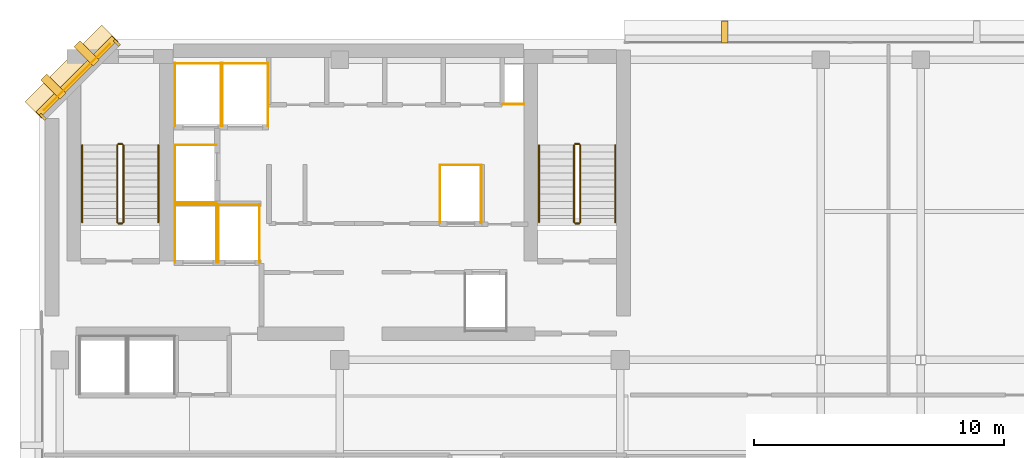
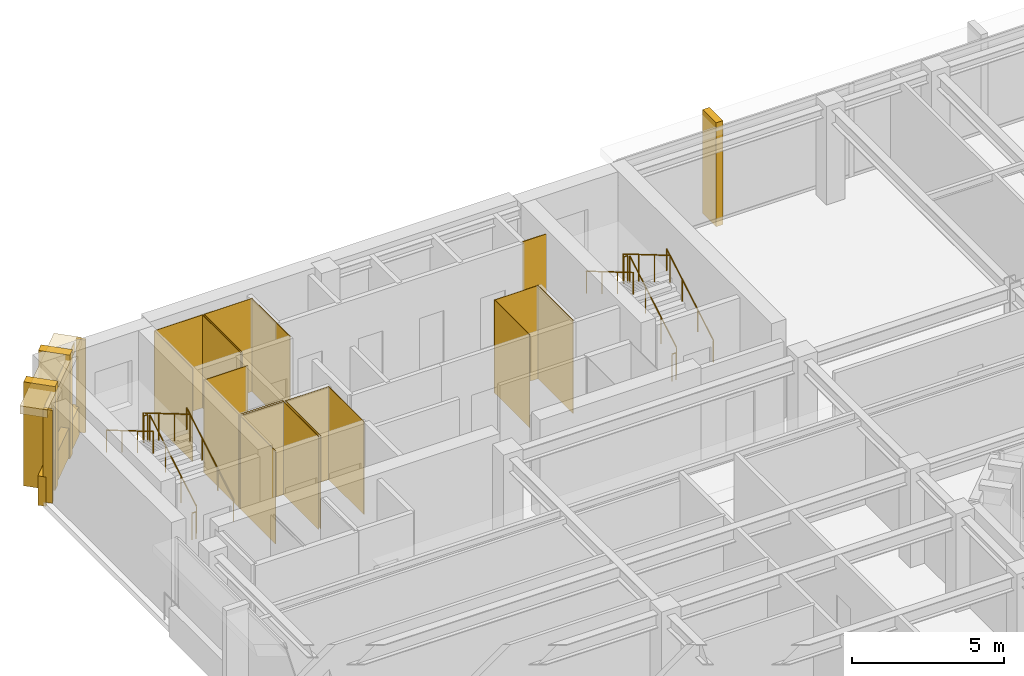
# One storey, part 10 of 11: 27 coverings, 12 railings.
"""IFC4 building model written with IfcOpenShell, lengths in metres."""

from ifc_helpers import new_model, si_unit, direction, frame, origin, origin_2d, place, context, subcontext, project, spatial, polyline, rectangle, circle, outline, extrude, material, layer, layer_set, type_object, element, save


model = new_model("IFC4")

# Units and contexts
model_context = context("Model", 3, precision=1e-05, world=origin(), true_north=direction((0.0, 1.0)))
body_context = subcontext(model_context, "Body", "Model", "MODEL_VIEW")
ifc_project = project(units=[si_unit("LENGTHUNIT", "METRE"), si_unit("AREAUNIT", "SQUARE_METRE"), si_unit("VOLUMEUNIT", "CUBIC_METRE"), si_unit("PLANEANGLEUNIT", "RADIAN"), si_unit("MASSUNIT", "GRAM", prefix="KILO")], contexts=[model_context])

# Site, building, storey
site_placement = place(None, origin())
site = spatial("IfcSite", under=ifc_project, at=site_placement, CompositionType="ELEMENT")
building_placement = place(site_placement, origin())
building = spatial("IfcBuilding", under=site, at=building_placement, Name="Kefirva Bronze Tower", CompositionType="ELEMENT")
storey_placement = place(building_placement, frame((0.0, 0.0, 272.25)))
storey = spatial("IfcBuildingStorey", under=building, at=storey_placement, Name="L66", CompositionType="ELEMENT", Elevation=272.25)

# Coverings
ifc_material_1 = material(Name="Bronze anodised aluminium", Category="aluminium")
ifc_layer_1 = layer(ifc_material_1, 0.02001953125, Name="Bronze anodised aluminium")
ifc_layer_set_1 = layer_set([ifc_layer_1], Name="Bronze anodised aluminium")
covering_type_1 = type_object("IfcCoveringType", Name="Anodised Bronze Spandrel Cladding 20mm", PredefinedType="CLADDING", material=ifc_layer_set_1)
covering_1_placement = place(storey_placement, frame((1.492919921875, 44.507080078125, 3.320068359375), z_axis=(0.0, 0.0, 1.0), x_axis=(-0.707106781187, -0.707106781187, 0.0)))
element("IfcCovering", 1, at=covering_1_placement, inside=storey, type_object=covering_type_1, Name="L66 Bronze Spandrel Cladding 7", PredefinedType="CLADDING", context=body_context, shape_type="SweptSolid", body=[
    extrude(rectangle(XDim=3.719482421875, YDim=0.02001953125, at=origin_2d()), origin(), (0.0, 0.0, 1.0), 0.39990234375),
])
for number, where, z_axis, x_axis, name in (
    (2, (3.08837890625, 45.862060546875, 0.0), (0.0, 0.0, 1.0), (-0.707106781187, -0.707106781187, 0.0), "L66 Facade Joint Closure Panel 7S"),
    (3, (0.137939453125, 42.91162109375, 0.0), (0.0, 0.0, 1.0), (-0.707106781187, -0.707106781187, 0.0), "L66 Facade Joint Closure Panel 7E"),
):
    element("IfcCovering", number, at=place(storey_placement, frame(where, z_axis=z_axis, x_axis=x_axis)), inside=storey, type_object=covering_type_1, Name=name, PredefinedType="CLADDING", context=body_context, shape_type="SweptSolid", body=[
        extrude(rectangle(XDim=0.10009765625, YDim=0.320068359375, at=origin_2d()), origin(), (0.0, 0.0, 1.0), 3.739990234375),
    ])
covering_2_placement = place(storey_placement, frame((1.4716796875, 44.5283203125, -0.16015625), z_axis=(0.0, 0.0, 1.0), x_axis=(-0.707106781187, -0.707106781187, 0.0)))
element("IfcCovering", 4, at=covering_2_placement, inside=storey, type_object=covering_type_1, Name="L66 Streamline Horizontal Spandrel Band 9", PredefinedType="CLADDING", context=body_context, shape_type="SweptSolid", body=[
    extrude(rectangle(XDim=4.28271484375, YDim=0.280029296875, at=origin_2d()), origin(), (0.0, 0.0, 1.0), 1.179931640625),
])
covering_3_placement = place(storey_placement, origin())
element("IfcCovering", 5, at=covering_3_placement, inside=storey, type_object=covering_type_1, Name="L66 Lift FF1 Hoistway Liner N", PredefinedType="CLADDING", context=body_context, shape_type="SweptSolid", body=[
    extrude(outline(polyline([(5.39990234375, 39.389892578125), (7.080078125, 39.389892578125), (7.080078125, 39.409912109375), (5.39990234375, 39.409912109375), (5.39990234375, 39.389892578125)])), origin(), (0.0, 0.0, 1.0), 3.739990234375),
])
covering_4_placement = place(storey_placement, origin())
element("IfcCovering", 6, at=covering_4_placement, inside=storey, type_object=covering_type_1, Name="L66 Lift FF1 Hoistway Liner W", PredefinedType="CLADDING", context=body_context, shape_type="SweptSolid", body=[
    extrude(outline(polyline([(5.409912109375, 37.080078125), (5.429931640625, 37.080078125), (5.429931640625, 39.419921875), (5.409912109375, 39.419921875), (5.409912109375, 37.080078125)])), origin(), (0.0, 0.0, 1.0), 3.739990234375),
])
covering_5_placement = place(storey_placement, origin())
element("IfcCovering", 7, at=covering_5_placement, inside=storey, type_object=covering_type_1, Name="L66 Lift FF1 Hoistway Liner E", PredefinedType="CLADDING", context=body_context, shape_type="SweptSolid", body=[
    extrude(outline(polyline([(7.050048828125, 37.080078125), (7.070068359375, 37.080078125), (7.070068359375, 39.419921875), (7.050048828125, 39.419921875), (7.050048828125, 37.080078125)])), origin(), (0.0, 0.0, 1.0), 3.739990234375),
])
covering_6_placement = place(storey_placement, origin())
element("IfcCovering", 8, at=covering_6_placement, inside=storey, type_object=covering_type_1, Name="L66 Lift FF2 Hoistway Liner N", PredefinedType="CLADDING", context=body_context, shape_type="SweptSolid", body=[
    extrude(outline(polyline([(7.1201171875, 39.389892578125), (8.800048828125, 39.389892578125), (8.800048828125, 39.409912109375), (7.1201171875, 39.409912109375), (7.1201171875, 39.389892578125)])), origin(), (0.0, 0.0, 1.0), 3.739990234375),
])
covering_7_placement = place(storey_placement, origin())
element("IfcCovering", 9, at=covering_7_placement, inside=storey, type_object=covering_type_1, Name="L66 Lift FF2 Hoistway Liner W", PredefinedType="CLADDING", context=body_context, shape_type="SweptSolid", body=[
    extrude(outline(polyline([(7.1298828125, 37.080078125), (7.14990234375, 37.080078125), (7.14990234375, 39.419921875), (7.1298828125, 39.419921875), (7.1298828125, 37.080078125)])), origin(), (0.0, 0.0, 1.0), 3.739990234375),
])
covering_8_placement = place(storey_placement, origin())
element("IfcCovering", 10, at=covering_8_placement, inside=storey, type_object=covering_type_1, Name="L66 Lift FF2 Hoistway Liner E", PredefinedType="CLADDING", context=body_context, shape_type="SweptSolid", body=[
    extrude(outline(polyline([(8.77001953125, 37.080078125), (8.7900390625, 37.080078125), (8.7900390625, 39.419921875), (8.77001953125, 39.419921875), (8.77001953125, 37.080078125)])), origin(), (0.0, 0.0, 1.0), 3.739990234375),
])
covering_9_placement = place(storey_placement, origin())
element("IfcCovering", 11, at=covering_9_placement, inside=storey, type_object=covering_type_1, Name="L66 Lift SV1 Hoistway Liner N", PredefinedType="CLADDING", context=body_context, shape_type="SweptSolid", body=[
    extrude(outline(polyline([(5.39990234375, 45.0400390625), (7.260009765625, 45.0400390625), (7.260009765625, 45.06005859375), (5.39990234375, 45.06005859375), (5.39990234375, 45.0400390625)])), origin(), (0.0, 0.0, 1.0), 3.739990234375),
])
covering_10_placement = place(storey_placement, origin())
element("IfcCovering", 12, at=covering_10_placement, inside=storey, type_object=covering_type_1, Name="L66 Lift SV1 Hoistway Liner W", PredefinedType="CLADDING", context=body_context, shape_type="SweptSolid", body=[
    extrude(outline(polyline([(5.409912109375, 42.530029296875), (5.429931640625, 42.530029296875), (5.429931640625, 45.070068359375), (5.409912109375, 45.070068359375), (5.409912109375, 42.530029296875)])), origin(), (0.0, 0.0, 1.0), 3.739990234375),
])
covering_11_placement = place(storey_placement, origin())
element("IfcCovering", 13, at=covering_11_placement, inside=storey, type_object=covering_type_1, Name="L66 Lift SV1 Hoistway Liner E", PredefinedType="CLADDING", context=body_context, shape_type="SweptSolid", body=[
    extrude(outline(polyline([(7.22998046875, 42.530029296875), (7.25, 42.530029296875), (7.25, 45.070068359375), (7.22998046875, 45.070068359375), (7.22998046875, 42.530029296875)])), origin(), (0.0, 0.0, 1.0), 3.739990234375),
])
covering_12_placement = place(storey_placement, origin())
element("IfcCovering", 14, at=covering_12_placement, inside=storey, type_object=covering_type_1, Name="L66 Lift SV2 Hoistway Liner N", PredefinedType="CLADDING", context=body_context, shape_type="SweptSolid", body=[
    extrude(outline(polyline([(7.280029296875, 45.0400390625), (9.139892578125, 45.0400390625), (9.139892578125, 45.06005859375), (7.280029296875, 45.06005859375), (7.280029296875, 45.0400390625)])), origin(), (0.0, 0.0, 1.0), 3.739990234375),
])
covering_13_placement = place(storey_placement, origin())
element("IfcCovering", 15, at=covering_13_placement, inside=storey, type_object=covering_type_1, Name="L66 Lift SV2 Hoistway Liner W", PredefinedType="CLADDING", context=body_context, shape_type="SweptSolid", body=[
    extrude(outline(polyline([(7.2900390625, 42.530029296875), (7.31005859375, 42.530029296875), (7.31005859375, 45.070068359375), (7.2900390625, 45.070068359375), (7.2900390625, 42.530029296875)])), origin(), (0.0, 0.0, 1.0), 3.739990234375),
])
covering_14_placement = place(storey_placement, origin())
element("IfcCovering", 16, at=covering_14_placement, inside=storey, type_object=covering_type_1, Name="L66 Lift SV2 Hoistway Liner E", PredefinedType="CLADDING", context=body_context, shape_type="SweptSolid", body=[
    extrude(outline(polyline([(9.110107421875, 42.530029296875), (9.1298828125, 42.530029296875), (9.1298828125, 45.070068359375), (9.110107421875, 45.070068359375), (9.110107421875, 42.530029296875)])), origin(), (0.0, 0.0, 1.0), 3.739990234375),
])
covering_15_placement = place(storey_placement, origin())
element("IfcCovering", 17, at=covering_15_placement, inside=storey, type_object=covering_type_1, Name="L66 Lift HP2 Hoistway Liner N", PredefinedType="CLADDING", context=body_context, shape_type="SweptSolid", body=[
    extrude(outline(polyline([(15.97998046875, 40.969970703125), (17.669921875, 40.969970703125), (17.669921875, 40.989990234375), (15.97998046875, 40.989990234375), (15.97998046875, 40.969970703125)])), origin(), (0.0, 0.0, 1.0), 3.739990234375),
])
covering_16_placement = place(storey_placement, origin())
element("IfcCovering", 18, at=covering_16_placement, inside=storey, type_object=covering_type_1, Name="L66 Lift HP2 Hoistway Liner W", PredefinedType="CLADDING", context=body_context, shape_type="SweptSolid", body=[
    extrude(outline(polyline([(15.989990234375, 38.659912109375), (16.010009765625, 38.659912109375), (16.010009765625, 41.0), (15.989990234375, 41.0), (15.989990234375, 38.659912109375)])), origin(), (0.0, 0.0, 1.0), 3.739990234375),
])
covering_17_placement = place(storey_placement, origin())
element("IfcCovering", 19, at=covering_17_placement, inside=storey, type_object=covering_type_1, Name="L66 Lift HP2 Hoistway Liner E", PredefinedType="CLADDING", context=body_context, shape_type="SweptSolid", body=[
    extrude(outline(polyline([(17.639892578125, 38.659912109375), (17.659912109375, 38.659912109375), (17.659912109375, 41.0), (17.639892578125, 41.0), (17.639892578125, 38.659912109375)])), origin(), (0.0, 0.0, 1.0), 3.739990234375),
])
covering_18_placement = place(storey_placement, origin())
element("IfcCovering", 20, at=covering_18_placement, inside=storey, type_object=covering_type_1, Name="L66 Lift HP3 Hoistway Liner N", PredefinedType="CLADDING", context=body_context, shape_type="SweptSolid", body=[
    extrude(outline(polyline([(5.39990234375, 41.77001953125), (7.080078125, 41.77001953125), (7.080078125, 41.7900390625), (5.39990234375, 41.7900390625), (5.39990234375, 41.77001953125)])), origin(), (0.0, 0.0, 1.0), 3.739990234375),
])
covering_19_placement = place(storey_placement, origin())
element("IfcCovering", 21, at=covering_19_placement, inside=storey, type_object=covering_type_1, Name="L66 Lift HP3 Hoistway Liner S", PredefinedType="CLADDING", context=body_context, shape_type="SweptSolid", body=[
    extrude(outline(polyline([(5.39990234375, 39.469970703125), (7.080078125, 39.469970703125), (7.080078125, 39.489990234375), (5.39990234375, 39.489990234375), (5.39990234375, 39.469970703125)])), origin(), (0.0, 0.0, 1.0), 3.739990234375),
])
covering_20_placement = place(storey_placement, origin())
element("IfcCovering", 22, at=covering_20_placement, inside=storey, type_object=covering_type_1, Name="L66 Lift HP3 Hoistway Liner W", PredefinedType="CLADDING", context=body_context, shape_type="SweptSolid", body=[
    extrude(outline(polyline([(5.409912109375, 39.4599609375), (5.429931640625, 39.4599609375), (5.429931640625, 41.800048828125), (5.409912109375, 41.800048828125), (5.409912109375, 39.4599609375)])), origin(), (0.0, 0.0, 1.0), 3.739990234375),
])
covering_21_placement = place(storey_placement, origin())
element("IfcCovering", 23, at=covering_21_placement, inside=storey, type_object=covering_type_1, Name="L66 Core MEP Riser Shaft Liner South", PredefinedType="CLADDING", context=body_context, shape_type="SweptSolid", body=[
    extrude(outline(polyline([(18.47998046875, 43.39990234375), (19.360107421875, 43.39990234375), (19.360107421875, 43.429931640625), (18.47998046875, 43.429931640625), (18.47998046875, 43.39990234375)])), origin(), (0.0, 0.0, 1.0), 3.739990234375),
])

# Railings
ifc_material_2 = material(Name="Stainless steel 316", Category="steel")
railing_type_1 = type_object("IfcRailingType", Name="Interior Stair Guardrail 1100mm", PredefinedType="GUARDRAIL", material=ifc_material_2)
railing_1_placement = place(storey_placement, frame((3.35009765625, 38.699951171875, 0.1650390625)))
element("IfcRailing", 24, at=railing_1_placement, inside=storey, type_object=railing_type_1, Name="L66 ST-1 stair guard 1", PredefinedType="GUARDRAIL", context=body_context, shape_type="SweptSolid", body=[
    extrude(circle(Radius=0.02392578125, at=origin_2d()), frame((0.0, 0.0, 1.076171875), z_axis=(0.0, 0.861551262678, 0.507670583921), x_axis=(-1.0, 0.0, 0.0)), (0.0, 0.0, 1.0), 3.574951171875),
    extrude(circle(Radius=0.02099609375, at=origin_2d()), origin(), (0.0, 0.0, 1.0), 1.052001953125),
    extrude(circle(Radius=0.02099609375, at=origin_2d()), frame((0.0, 1.026611328125, 0.60498046875)), (0.0, 0.0, 1.0), 1.052001953125),
    extrude(circle(Radius=0.02099609375, at=origin_2d()), frame((0.0, 2.053466796875, 1.2099609375)), (0.0, 0.0, 1.0), 1.052001953125),
    extrude(circle(Radius=0.02099609375, at=origin_2d()), frame((0.0, 3.080078125, 1.81494140625)), (0.0, 0.0, 1.0), 1.052001953125),
])
railing_2_placement = place(storey_placement, frame((3.300048828125, 41.830078125, 1.97998046875)))
element("IfcRailing", 25, at=railing_2_placement, inside=storey, type_object=railing_type_1, Name="L66 ST-1 stair guard 2", PredefinedType="GUARDRAIL", context=body_context, shape_type="SweptSolid", body=[
    extrude(circle(Radius=0.02392578125, at=origin_2d()), frame((0.0, 0.0, 1.076171875), z_axis=(-1.0, 0.0, 0.0), x_axis=(0.0, -1.0, 0.0)), (0.0, 0.0, 1.0), 0.150146484375),
    extrude(circle(Radius=0.02099609375, at=origin_2d()), origin(), (0.0, 0.0, 1.0), 1.052001953125),
    extrude(circle(Radius=0.02099609375, at=origin_2d()), frame((-0.150146484375, 0.0, 0.0)), (0.0, 0.0, 1.0), 1.052001953125),
])
railing_3_placement = place(storey_placement, frame((3.10009765625, 41.780029296875, 2.14501953125)))
element("IfcRailing", 26, at=railing_3_placement, inside=storey, type_object=railing_type_1, Name="L66 ST-1 stair guard 3", PredefinedType="GUARDRAIL", context=body_context, shape_type="SweptSolid", body=[
    extrude(circle(Radius=0.02392578125, at=origin_2d()), frame((0.0, 0.0, 1.076171875), z_axis=(0.0, -0.861551262678, 0.507670583921), x_axis=(1.0, 0.0, 0.0)), (0.0, 0.0, 1.0), 3.574951171875),
    extrude(circle(Radius=0.02099609375, at=origin_2d()), origin(), (0.0, 0.0, 1.0), 1.052001953125),
    extrude(circle(Radius=0.02099609375, at=origin_2d()), frame((0.0, -1.026611328125, 0.60498046875)), (0.0, 0.0, 1.0), 1.052001953125),
    extrude(circle(Radius=0.02099609375, at=origin_2d()), frame((0.0, -2.053466796875, 1.2099609375)), (0.0, 0.0, 1.0), 1.052001953125),
    extrude(circle(Radius=0.02099609375, at=origin_2d()), frame((0.0, -3.080078125, 1.81494140625)), (0.0, 0.0, 1.0), 1.052001953125),
])
railing_4_placement = place(storey_placement, frame((3.300048828125, 38.64990234375, 0.0)))
element("IfcRailing", 27, at=railing_4_placement, inside=storey, type_object=railing_type_1, Name="L66 ST-1 stair guard 4", PredefinedType="GUARDRAIL", context=body_context, shape_type="SweptSolid", body=[
    extrude(circle(Radius=0.02392578125, at=origin_2d()), frame((0.0, 0.0, 1.076171875), z_axis=(-1.0, 0.0, 0.0), x_axis=(0.0, -1.0, 0.0)), (0.0, 0.0, 1.0), 0.150146484375),
    extrude(circle(Radius=0.02099609375, at=origin_2d()), origin(), (0.0, 0.0, 1.0), 1.052001953125),
    extrude(circle(Radius=0.02099609375, at=origin_2d()), frame((-0.150146484375, 0.0, 0.0)), (0.0, 0.0, 1.0), 1.052001953125),
])
railing_5_placement = place(storey_placement, frame((21.60009765625, 38.699951171875, 0.1650390625)))
element("IfcRailing", 28, at=railing_5_placement, inside=storey, type_object=railing_type_1, Name="L66 ST-2 stair guard 1", PredefinedType="GUARDRAIL", context=body_context, shape_type="SweptSolid", body=[
    extrude(circle(Radius=0.02392578125, at=origin_2d()), frame((0.0, 0.0, 1.076171875), z_axis=(0.0, 0.861551262678, 0.507670583921), x_axis=(-1.0, 0.0, 0.0)), (0.0, 0.0, 1.0), 3.574951171875),
    extrude(circle(Radius=0.02099609375, at=origin_2d()), origin(), (0.0, 0.0, 1.0), 1.052001953125),
    extrude(circle(Radius=0.02099609375, at=origin_2d()), frame((0.0, 1.026611328125, 0.60498046875)), (0.0, 0.0, 1.0), 1.052001953125),
    extrude(circle(Radius=0.02099609375, at=origin_2d()), frame((0.0, 2.053466796875, 1.2099609375)), (0.0, 0.0, 1.0), 1.052001953125),
    extrude(circle(Radius=0.02099609375, at=origin_2d()), frame((0.0, 3.080078125, 1.81494140625)), (0.0, 0.0, 1.0), 1.052001953125),
])
railing_6_placement = place(storey_placement, frame((21.550048828125, 41.830078125, 1.97998046875)))
element("IfcRailing", 29, at=railing_6_placement, inside=storey, type_object=railing_type_1, Name="L66 ST-2 stair guard 2", PredefinedType="GUARDRAIL", context=body_context, shape_type="SweptSolid", body=[
    extrude(circle(Radius=0.02392578125, at=origin_2d()), frame((0.0, 0.0, 1.076171875), z_axis=(-1.0, 0.0, 0.0), x_axis=(0.0, -1.0, 0.0)), (0.0, 0.0, 1.0), 0.150146484375),
    extrude(circle(Radius=0.02099609375, at=origin_2d()), origin(), (0.0, 0.0, 1.0), 1.052001953125),
    extrude(circle(Radius=0.02099609375, at=origin_2d()), frame((-0.150146484375, 0.0, 0.0)), (0.0, 0.0, 1.0), 1.052001953125),
])
railing_7_placement = place(storey_placement, frame((21.35009765625, 41.780029296875, 2.14501953125)))
element("IfcRailing", 30, at=railing_7_placement, inside=storey, type_object=railing_type_1, Name="L66 ST-2 stair guard 3", PredefinedType="GUARDRAIL", context=body_context, shape_type="SweptSolid", body=[
    extrude(circle(Radius=0.02392578125, at=origin_2d()), frame((0.0, 0.0, 1.076171875), z_axis=(0.0, -0.861551262678, 0.507670583921), x_axis=(1.0, 0.0, 0.0)), (0.0, 0.0, 1.0), 3.574951171875),
    extrude(circle(Radius=0.02099609375, at=origin_2d()), origin(), (0.0, 0.0, 1.0), 1.052001953125),
    extrude(circle(Radius=0.02099609375, at=origin_2d()), frame((0.0, -1.026611328125, 0.60498046875)), (0.0, 0.0, 1.0), 1.052001953125),
    extrude(circle(Radius=0.02099609375, at=origin_2d()), frame((0.0, -2.053466796875, 1.2099609375)), (0.0, 0.0, 1.0), 1.052001953125),
    extrude(circle(Radius=0.02099609375, at=origin_2d()), frame((0.0, -3.080078125, 1.81494140625)), (0.0, 0.0, 1.0), 1.052001953125),
])
railing_8_placement = place(storey_placement, frame((21.550048828125, 38.64990234375, 0.0)))
element("IfcRailing", 31, at=railing_8_placement, inside=storey, type_object=railing_type_1, Name="L66 ST-2 stair guard 4", PredefinedType="GUARDRAIL", context=body_context, shape_type="SweptSolid", body=[
    extrude(circle(Radius=0.02392578125, at=origin_2d()), frame((0.0, 0.0, 1.076171875), z_axis=(-1.0, 0.0, 0.0), x_axis=(0.0, -1.0, 0.0)), (0.0, 0.0, 1.0), 0.150146484375),
    extrude(circle(Radius=0.02099609375, at=origin_2d()), origin(), (0.0, 0.0, 1.0), 1.052001953125),
    extrude(circle(Radius=0.02099609375, at=origin_2d()), frame((-0.150146484375, 0.0, 0.0)), (0.0, 0.0, 1.0), 1.052001953125),
])
railing_type_2 = type_object("IfcRailingType", Name="Stair Pitch Handrail 900mm", PredefinedType="HANDRAIL", material=ifc_material_2)
railing_9_placement = place(storey_placement, frame((4.75, 38.699951171875, 0.1650390625)))
element("IfcRailing", 32, at=railing_9_placement, inside=storey, type_object=railing_type_2, Name="L66 ST-1 stair handrail 1", PredefinedType="HANDRAIL", context=body_context, shape_type="SweptSolid", body=[
    extrude(circle(Radius=0.02392578125, at=origin_2d()), frame((0.0, 0.0, 0.8759765625), z_axis=(0.0, 0.861551262678, 0.507670583921), x_axis=(-1.0, 0.0, 0.0)), (0.0, 0.0, 1.0), 3.574951171875),
    extrude(circle(Radius=0.02099609375, at=origin_2d()), origin(), (0.0, 0.0, 1.0), 0.851806640625),
    extrude(circle(Radius=0.02099609375, at=origin_2d()), frame((0.0, 1.026611328125, 0.60498046875)), (0.0, 0.0, 1.0), 0.851806640625),
    extrude(circle(Radius=0.02099609375, at=origin_2d()), frame((0.0, 2.053466796875, 1.2099609375)), (0.0, 0.0, 1.0), 0.851806640625),
    extrude(circle(Radius=0.02099609375, at=origin_2d()), frame((0.0, 3.080078125, 1.81494140625)), (0.0, 0.0, 1.0), 0.851806640625),
])
railing_10_placement = place(storey_placement, frame((1.699951171875, 41.780029296875, 2.14501953125)))
element("IfcRailing", 33, at=railing_10_placement, inside=storey, type_object=railing_type_2, Name="L66 ST-1 stair handrail 2", PredefinedType="HANDRAIL", context=body_context, shape_type="SweptSolid", body=[
    extrude(circle(Radius=0.02392578125, at=origin_2d()), frame((0.0, 0.0, 0.8759765625), z_axis=(0.0, -0.861551262678, 0.507670583921), x_axis=(1.0, 0.0, 0.0)), (0.0, 0.0, 1.0), 3.574951171875),
    extrude(circle(Radius=0.02099609375, at=origin_2d()), origin(), (0.0, 0.0, 1.0), 0.851806640625),
    extrude(circle(Radius=0.02099609375, at=origin_2d()), frame((0.0, -1.026611328125, 0.60498046875)), (0.0, 0.0, 1.0), 0.851806640625),
    extrude(circle(Radius=0.02099609375, at=origin_2d()), frame((0.0, -2.053466796875, 1.2099609375)), (0.0, 0.0, 1.0), 0.851806640625),
    extrude(circle(Radius=0.02099609375, at=origin_2d()), frame((0.0, -3.080078125, 1.81494140625)), (0.0, 0.0, 1.0), 0.851806640625),
])
railing_11_placement = place(storey_placement, frame((23.0, 38.699951171875, 0.1650390625)))
element("IfcRailing", 34, at=railing_11_placement, inside=storey, type_object=railing_type_2, Name="L66 ST-2 stair handrail 1", PredefinedType="HANDRAIL", context=body_context, shape_type="SweptSolid", body=[
    extrude(circle(Radius=0.02392578125, at=origin_2d()), frame((0.0, 0.0, 0.8759765625), z_axis=(0.0, 0.861551262678, 0.507670583921), x_axis=(-1.0, 0.0, 0.0)), (0.0, 0.0, 1.0), 3.574951171875),
    extrude(circle(Radius=0.02099609375, at=origin_2d()), origin(), (0.0, 0.0, 1.0), 0.851806640625),
    extrude(circle(Radius=0.02099609375, at=origin_2d()), frame((0.0, 1.026611328125, 0.60498046875)), (0.0, 0.0, 1.0), 0.851806640625),
    extrude(circle(Radius=0.02099609375, at=origin_2d()), frame((0.0, 2.053466796875, 1.2099609375)), (0.0, 0.0, 1.0), 0.851806640625),
    extrude(circle(Radius=0.02099609375, at=origin_2d()), frame((0.0, 3.080078125, 1.81494140625)), (0.0, 0.0, 1.0), 0.851806640625),
])
railing_12_placement = place(storey_placement, frame((19.949951171875, 41.780029296875, 2.14501953125)))
element("IfcRailing", 35, at=railing_12_placement, inside=storey, type_object=railing_type_2, Name="L66 ST-2 stair handrail 2", PredefinedType="HANDRAIL", context=body_context, shape_type="SweptSolid", body=[
    extrude(circle(Radius=0.02392578125, at=origin_2d()), frame((0.0, 0.0, 0.8759765625), z_axis=(0.0, -0.861551262678, 0.507670583921), x_axis=(1.0, 0.0, 0.0)), (0.0, 0.0, 1.0), 3.574951171875),
    extrude(circle(Radius=0.02099609375, at=origin_2d()), origin(), (0.0, 0.0, 1.0), 0.851806640625),
    extrude(circle(Radius=0.02099609375, at=origin_2d()), frame((0.0, -1.026611328125, 0.60498046875)), (0.0, 0.0, 1.0), 0.851806640625),
    extrude(circle(Radius=0.02099609375, at=origin_2d()), frame((0.0, -2.053466796875, 1.2099609375)), (0.0, 0.0, 1.0), 0.851806640625),
    extrude(circle(Radius=0.02099609375, at=origin_2d()), frame((0.0, -3.080078125, 1.81494140625)), (0.0, 0.0, 1.0), 0.851806640625),
])

# Coverings
ifc_layer_2 = layer(ifc_material_1, 0.179931640625, Name="Bronze anodised aluminium")
ifc_layer_set_2 = layer_set([ifc_layer_2], Name="Bronze anodised aluminium")
covering_type_2 = type_object("IfcCoveringType", Name="Streamline Bronze Sunshade Eyebrow Cladding 180mm", PredefinedType="CLADDING", material=ifc_layer_set_2)
covering_22_placement = place(storey_placement, frame((1.28076171875, 44.71923828125, 3.419921875), z_axis=(0.0, 0.0, 1.0), x_axis=(-0.707106781187, -0.707106781187, 0.0)))
element("IfcCovering", 36, at=covering_22_placement, inside=storey, type_object=covering_type_2, Name="L66 Streamline Bronze Sunshade Eyebrow 9", PredefinedType="CLADDING", context=body_context, shape_type="SweptSolid", body=[
    extrude(rectangle(XDim=4.322509765625, YDim=0.93994140625, at=origin_2d()), origin(), (0.0, 0.0, 1.0), 0.320068359375),
])
ifc_layer_3 = layer(ifc_material_1, 0.260009765625, Name="Bronze anodised aluminium")
ifc_layer_set_3 = layer_set([ifc_layer_3], Name="Bronze anodised aluminium")
covering_type_3 = type_object("IfcCoveringType", Name="Unbroken Bronze Buttress Fin Cladding 260mm", PredefinedType="CLADDING", material=ifc_layer_set_3)
covering_23_placement = place(storey_placement, frame((27.364013671875, 46.300048828125, -0.2197265625), z_axis=(0.0, 0.0, 1.0), x_axis=(-1.0, 0.0, 0.0)))
element("IfcCovering", 37, at=covering_23_placement, inside=storey, type_object=covering_type_3, Name="L66 Unbroken Vertical Bronze Rib Fin 16", PredefinedType="CLADDING", context=body_context, shape_type="SweptSolid", body=[
    extrude(rectangle(XDim=0.260009765625, YDim=0.8798828125, at=origin_2d()), origin(), (0.0, 0.0, 1.0), 4.179931640625),
])
for number, where, z_axis, x_axis, name in (
    (38, (1.877197265625, 45.44287109375, -0.2197265625), (0.0, 0.0, 1.0), (-0.707106781187, -0.707106781187, 0.0), "L66 Chamfered Corner Buttress Fin Cladding 17"),
    (39, (0.55712890625, 44.122802734375, -0.2197265625), (0.0, 0.0, 1.0), (-0.707106781187, -0.707106781187, 0.0), "L66 Chamfered Corner Buttress Fin Cladding 18"),
):
    element("IfcCovering", number, at=place(storey_placement, frame(where, z_axis=z_axis, x_axis=x_axis)), inside=storey, type_object=covering_type_3, Name=name, PredefinedType="CLADDING", context=body_context, shape_type="SweptSolid", body=[
        extrude(rectangle(XDim=0.340087890625, YDim=1.080078125, at=origin_2d()), origin(), (0.0, 0.0, 1.0), 4.179931640625),
    ])

save(model, "model.ifc")
